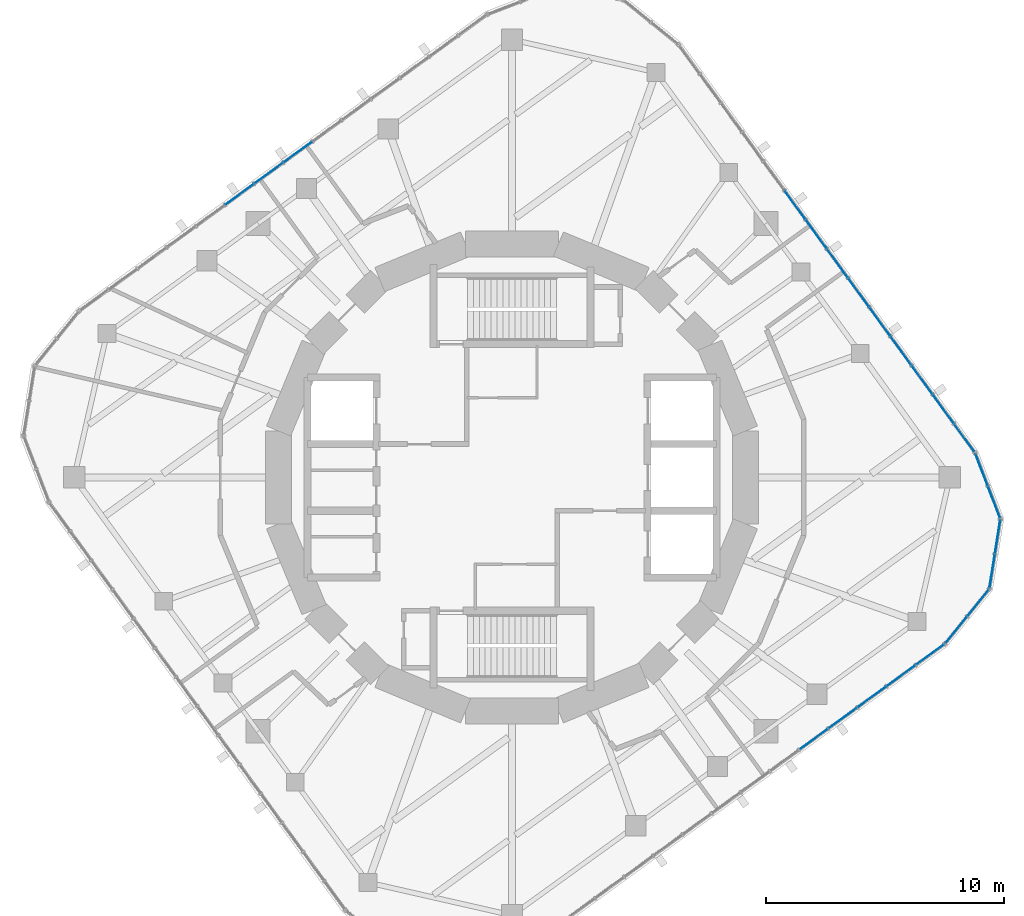
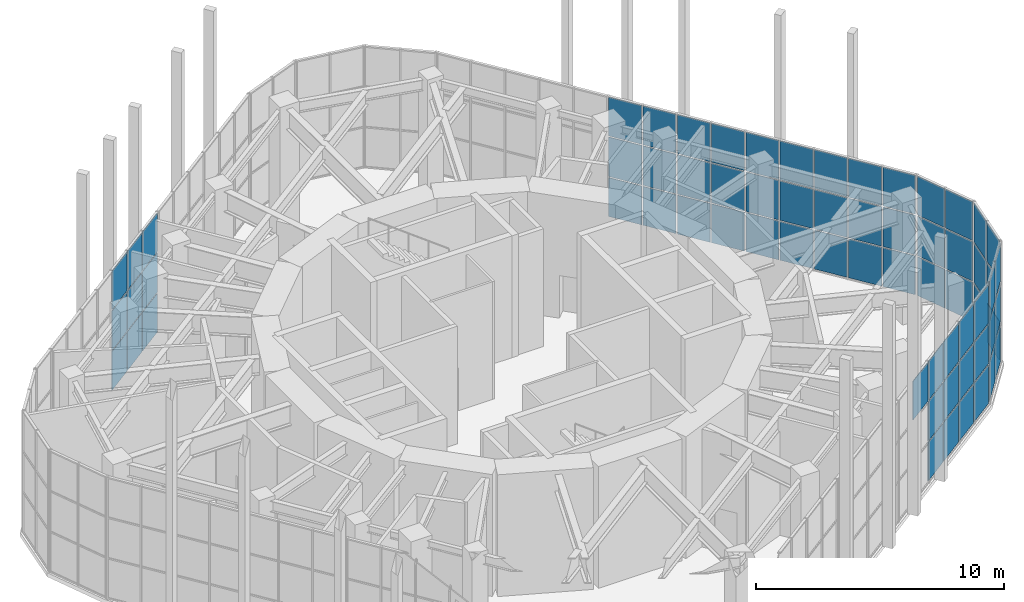
# One storey, part 13 of 17: 67 plates, 6 elements without a shape of their own.
"""IFC4 building model written with IfcOpenShell, lengths in metres."""

from ifc_helpers import new_model, si_unit, direction, frame, origin, origin_2d, place, context, subcontext, project, spatial, rectangle, extrude, material, layer, layer_set, type_object, element, aggregate, save


model = new_model("IFC4")

# Units and contexts
model_context = context("Model", 3, precision=1e-05, world=origin(), true_north=direction((0.0, 1.0)))
body_context = subcontext(model_context, "Body", "Model", "MODEL_VIEW")
ifc_project = project(units=[si_unit("LENGTHUNIT", "METRE"), si_unit("AREAUNIT", "SQUARE_METRE"), si_unit("VOLUMEUNIT", "CUBIC_METRE"), si_unit("PLANEANGLEUNIT", "RADIAN"), si_unit("MASSUNIT", "GRAM", prefix="KILO")], contexts=[model_context])

# Site, building, storey
site_placement = place(None, origin())
site = spatial("IfcSite", under=ifc_project, at=site_placement, CompositionType="ELEMENT")
building_placement = place(site_placement, origin())
building = spatial("IfcBuilding", under=site, at=building_placement, Name="Nakasero Lantern House", CompositionType="ELEMENT")
storey_placement = place(building_placement, frame((0.0, 0.0, 298.39990234375)))
storey = spatial("IfcBuildingStorey", under=building, at=storey_placement, Name="L73", CompositionType="ELEMENT", Elevation=298.39990234375)

# Curtain wall, plates
ifc_material_1 = material(Name="Aluminium 6063-T6 and glass", Category="aluminium")
curtain_wall_type = type_object("IfcCurtainWallType", Name="Lantern glazing CW-4", PredefinedType="USERDEFINED", material=ifc_material_1)
curtain_wall_1_placement = place(storey_placement, origin())
curtain_wall_1 = element("IfcCurtainWall", 1, at=curtain_wall_1_placement, inside=storey, type_object=curtain_wall_type, Name="Curtain wall CW-4 L73", ObjectType="UNITISED CURTAIN WALL", PredefinedType="USERDEFINED")
ifc_material_2 = material(Name="Glass", Category="glass")
ifc_layer = layer(ifc_material_2, 0.028076171875)
ifc_layer_set = layer_set([ifc_layer], Name="Glazed panel CW-4")
plate_type = type_object("IfcPlateType", Name="Glazed panel CW-4", PredefinedType="CURTAIN_PANEL", material=ifc_layer_set)
plate_1_placement = place(storey_placement, frame((19.004150390625, 1.659423828125, 0.06005859375), z_axis=(0.0, 0.0, 1.0), x_axis=(-0.587785252292, 0.809016994375, 0.0)))
plate_1 = element("IfcPlate", 2, at=plate_1_placement, type_object=plate_type, Name="CW-4 panel 1.1", PredefinedType="CURTAIN_PANEL", context=body_context, shape_type="SweptSolid", body=[
    extrude(rectangle(XDim=1.42431640625, YDim=0.028076171875, at=origin_2d()), origin(), (0.0, 0.0, 1.0), 1.909912109375),
])
plate_2_placement = place(storey_placement, frame((19.004150390625, 1.659423828125, 2.030029296875), z_axis=(0.0, 0.0, 1.0), x_axis=(-0.587785252292, 0.809016994375, 0.0)))
plate_2 = element("IfcPlate", 3, at=plate_2_placement, type_object=plate_type, Name="CW-4 panel 1.2", PredefinedType="CURTAIN_PANEL", context=body_context, shape_type="SweptSolid", body=[
    extrude(rectangle(XDim=1.42431640625, YDim=0.028076171875, at=origin_2d()), origin(), (0.0, 0.0, 1.0), 1.93994140625),
])
plate_3_placement = place(storey_placement, frame((19.004150390625, 1.659423828125, 4.0302734375), z_axis=(0.0, 0.0, 1.0), x_axis=(-0.587785252292, 0.809016994375, 0.0)))
plate_3 = element("IfcPlate", 4, at=plate_3_placement, type_object=plate_type, Name="CW-4 panel 1.3", PredefinedType="CURTAIN_PANEL", context=body_context, shape_type="SweptSolid", body=[
    extrude(rectangle(XDim=1.42431640625, YDim=0.028076171875, at=origin_2d()), origin(), (0.0, 0.0, 1.0), 1.909912109375),
])
plate_4_placement = place(storey_placement, frame((18.122802734375, 2.872314453125, 0.06005859375), z_axis=(0.0, 0.0, 1.0), x_axis=(-0.587785252292, 0.809016994375, 0.0)))
plate_4 = element("IfcPlate", 5, at=plate_4_placement, type_object=plate_type, Name="CW-4 panel 2.1", PredefinedType="CURTAIN_PANEL", context=body_context, shape_type="SweptSolid", body=[
    extrude(rectangle(XDim=1.454345703125, YDim=0.028076171875, at=origin_2d()), origin(), (0.0, 0.0, 1.0), 1.909912109375),
])
plate_5_placement = place(storey_placement, frame((18.122802734375, 2.872314453125, 2.030029296875), z_axis=(0.0, 0.0, 1.0), x_axis=(-0.587785252292, 0.809016994375, 0.0)))
plate_5 = element("IfcPlate", 6, at=plate_5_placement, type_object=plate_type, Name="CW-4 panel 2.2", PredefinedType="CURTAIN_PANEL", context=body_context, shape_type="SweptSolid", body=[
    extrude(rectangle(XDim=1.454345703125, YDim=0.028076171875, at=origin_2d()), origin(), (0.0, 0.0, 1.0), 1.93994140625),
])
plate_6_placement = place(storey_placement, frame((18.122802734375, 2.872314453125, 4.0302734375), z_axis=(0.0, 0.0, 1.0), x_axis=(-0.587785252292, 0.809016994375, 0.0)))
plate_6 = element("IfcPlate", 7, at=plate_6_placement, type_object=plate_type, Name="CW-4 panel 2.3", PredefinedType="CURTAIN_PANEL", context=body_context, shape_type="SweptSolid", body=[
    extrude(rectangle(XDim=1.454345703125, YDim=0.028076171875, at=origin_2d()), origin(), (0.0, 0.0, 1.0), 1.909912109375),
])
plate_7_placement = place(storey_placement, frame((17.232666015625, 4.097412109375, 0.06005859375), z_axis=(0.0, 0.0, 1.0), x_axis=(-0.587785252292, 0.809016994375, 0.0)))
plate_7 = element("IfcPlate", 8, at=plate_7_placement, type_object=plate_type, Name="CW-4 panel 3.1", PredefinedType="CURTAIN_PANEL", context=body_context, shape_type="SweptSolid", body=[
    extrude(rectangle(XDim=1.454345703125, YDim=0.028076171875, at=origin_2d()), origin(), (0.0, 0.0, 1.0), 1.909912109375),
])
plate_8_placement = place(storey_placement, frame((17.232666015625, 4.097412109375, 2.030029296875), z_axis=(0.0, 0.0, 1.0), x_axis=(-0.587785252292, 0.809016994375, 0.0)))
plate_8 = element("IfcPlate", 9, at=plate_8_placement, type_object=plate_type, Name="CW-4 panel 3.2", PredefinedType="CURTAIN_PANEL", context=body_context, shape_type="SweptSolid", body=[
    extrude(rectangle(XDim=1.454345703125, YDim=0.028076171875, at=origin_2d()), origin(), (0.0, 0.0, 1.0), 1.93994140625),
])
plate_9_placement = place(storey_placement, frame((17.232666015625, 4.097412109375, 4.0302734375), z_axis=(0.0, 0.0, 1.0), x_axis=(-0.587785252292, 0.809016994375, 0.0)))
plate_9 = element("IfcPlate", 10, at=plate_9_placement, type_object=plate_type, Name="CW-4 panel 3.3", PredefinedType="CURTAIN_PANEL", context=body_context, shape_type="SweptSolid", body=[
    extrude(rectangle(XDim=1.454345703125, YDim=0.028076171875, at=origin_2d()), origin(), (0.0, 0.0, 1.0), 1.909912109375),
])
plate_10_placement = place(storey_placement, frame((16.3427734375, 5.322509765625, 0.06005859375), z_axis=(0.0, 0.0, 1.0), x_axis=(-0.587785252292, 0.809016994375, 0.0)))
plate_10 = element("IfcPlate", 11, at=plate_10_placement, type_object=plate_type, Name="CW-4 panel 4.1", PredefinedType="CURTAIN_PANEL", context=body_context, shape_type="SweptSolid", body=[
    extrude(rectangle(XDim=1.454345703125, YDim=0.028076171875, at=origin_2d()), origin(), (0.0, 0.0, 1.0), 1.909912109375),
])
plate_11_placement = place(storey_placement, frame((16.3427734375, 5.322509765625, 2.030029296875), z_axis=(0.0, 0.0, 1.0), x_axis=(-0.587785252292, 0.809016994375, 0.0)))
plate_11 = element("IfcPlate", 12, at=plate_11_placement, type_object=plate_type, Name="CW-4 panel 4.2", PredefinedType="CURTAIN_PANEL", context=body_context, shape_type="SweptSolid", body=[
    extrude(rectangle(XDim=1.454345703125, YDim=0.028076171875, at=origin_2d()), origin(), (0.0, 0.0, 1.0), 1.93994140625),
])
plate_12_placement = place(storey_placement, frame((16.3427734375, 5.322509765625, 4.0302734375), z_axis=(0.0, 0.0, 1.0), x_axis=(-0.587785252292, 0.809016994375, 0.0)))
plate_12 = element("IfcPlate", 13, at=plate_12_placement, type_object=plate_type, Name="CW-4 panel 4.3", PredefinedType="CURTAIN_PANEL", context=body_context, shape_type="SweptSolid", body=[
    extrude(rectangle(XDim=1.454345703125, YDim=0.028076171875, at=origin_2d()), origin(), (0.0, 0.0, 1.0), 1.909912109375),
])
plate_13_placement = place(storey_placement, frame((15.45263671875, 6.547607421875, 0.06005859375), z_axis=(0.0, 0.0, 1.0), x_axis=(-0.587785252292, 0.809016994375, 0.0)))
plate_13 = element("IfcPlate", 14, at=plate_13_placement, type_object=plate_type, Name="CW-4 panel 5.1", PredefinedType="CURTAIN_PANEL", context=body_context, shape_type="SweptSolid", body=[
    extrude(rectangle(XDim=1.454345703125, YDim=0.028076171875, at=origin_2d()), origin(), (0.0, 0.0, 1.0), 1.909912109375),
])
plate_14_placement = place(storey_placement, frame((15.45263671875, 6.547607421875, 2.030029296875), z_axis=(0.0, 0.0, 1.0), x_axis=(-0.587785252292, 0.809016994375, 0.0)))
plate_14 = element("IfcPlate", 15, at=plate_14_placement, type_object=plate_type, Name="CW-4 panel 5.2", PredefinedType="CURTAIN_PANEL", context=body_context, shape_type="SweptSolid", body=[
    extrude(rectangle(XDim=1.454345703125, YDim=0.028076171875, at=origin_2d()), origin(), (0.0, 0.0, 1.0), 1.93994140625),
])
plate_15_placement = place(storey_placement, frame((15.45263671875, 6.547607421875, 4.0302734375), z_axis=(0.0, 0.0, 1.0), x_axis=(-0.587785252292, 0.809016994375, 0.0)))
plate_15 = element("IfcPlate", 16, at=plate_15_placement, type_object=plate_type, Name="CW-4 panel 5.3", PredefinedType="CURTAIN_PANEL", context=body_context, shape_type="SweptSolid", body=[
    extrude(rectangle(XDim=1.454345703125, YDim=0.028076171875, at=origin_2d()), origin(), (0.0, 0.0, 1.0), 1.909912109375),
])
plate_16_placement = place(storey_placement, frame((14.5625, 7.772705078125, 0.06005859375), z_axis=(0.0, 0.0, 1.0), x_axis=(-0.587785252292, 0.809016994375, 0.0)))
plate_16 = element("IfcPlate", 17, at=plate_16_placement, type_object=plate_type, Name="CW-4 panel 6.1", PredefinedType="CURTAIN_PANEL", context=body_context, shape_type="SweptSolid", body=[
    extrude(rectangle(XDim=1.454345703125, YDim=0.028076171875, at=origin_2d()), origin(), (0.0, 0.0, 1.0), 1.909912109375),
])
plate_17_placement = place(storey_placement, frame((14.5625, 7.772705078125, 2.030029296875), z_axis=(0.0, 0.0, 1.0), x_axis=(-0.587785252292, 0.809016994375, 0.0)))
plate_17 = element("IfcPlate", 18, at=plate_17_placement, type_object=plate_type, Name="CW-4 panel 6.2", PredefinedType="CURTAIN_PANEL", context=body_context, shape_type="SweptSolid", body=[
    extrude(rectangle(XDim=1.454345703125, YDim=0.028076171875, at=origin_2d()), origin(), (0.0, 0.0, 1.0), 1.93994140625),
])
plate_18_placement = place(storey_placement, frame((14.5625, 7.772705078125, 4.0302734375), z_axis=(0.0, 0.0, 1.0), x_axis=(-0.587785252292, 0.809016994375, 0.0)))
plate_18 = element("IfcPlate", 19, at=plate_18_placement, type_object=plate_type, Name="CW-4 panel 6.3", PredefinedType="CURTAIN_PANEL", context=body_context, shape_type="SweptSolid", body=[
    extrude(rectangle(XDim=1.454345703125, YDim=0.028076171875, at=origin_2d()), origin(), (0.0, 0.0, 1.0), 1.909912109375),
])
plate_19_placement = place(storey_placement, frame((13.67236328125, 8.997802734375, 0.06005859375), z_axis=(0.0, 0.0, 1.0), x_axis=(-0.587785252292, 0.809016994375, 0.0)))
plate_19 = element("IfcPlate", 20, at=plate_19_placement, type_object=plate_type, Name="CW-4 panel 7.1", PredefinedType="CURTAIN_PANEL", context=body_context, shape_type="SweptSolid", body=[
    extrude(rectangle(XDim=1.454345703125, YDim=0.028076171875, at=origin_2d()), origin(), (0.0, 0.0, 1.0), 1.909912109375),
])
plate_20_placement = place(storey_placement, frame((13.67236328125, 8.997802734375, 2.030029296875), z_axis=(0.0, 0.0, 1.0), x_axis=(-0.587785252292, 0.809016994375, 0.0)))
plate_20 = element("IfcPlate", 21, at=plate_20_placement, type_object=plate_type, Name="CW-4 panel 7.2", PredefinedType="CURTAIN_PANEL", context=body_context, shape_type="SweptSolid", body=[
    extrude(rectangle(XDim=1.454345703125, YDim=0.028076171875, at=origin_2d()), origin(), (0.0, 0.0, 1.0), 1.93994140625),
])
plate_21_placement = place(storey_placement, frame((13.67236328125, 8.997802734375, 4.0302734375), z_axis=(0.0, 0.0, 1.0), x_axis=(-0.587785252292, 0.809016994375, 0.0)))
plate_21 = element("IfcPlate", 22, at=plate_21_placement, type_object=plate_type, Name="CW-4 panel 7.3", PredefinedType="CURTAIN_PANEL", context=body_context, shape_type="SweptSolid", body=[
    extrude(rectangle(XDim=1.454345703125, YDim=0.028076171875, at=origin_2d()), origin(), (0.0, 0.0, 1.0), 1.909912109375),
])
plate_22_placement = place(storey_placement, frame((12.782470703125, 10.222900390625, 0.06005859375), z_axis=(0.0, 0.0, 1.0), x_axis=(-0.587785252292, 0.809016994375, 0.0)))
plate_22 = element("IfcPlate", 23, at=plate_22_placement, type_object=plate_type, Name="CW-4 panel 8.1", PredefinedType="CURTAIN_PANEL", context=body_context, shape_type="SweptSolid", body=[
    extrude(rectangle(XDim=1.454345703125, YDim=0.028076171875, at=origin_2d()), origin(), (0.0, 0.0, 1.0), 1.909912109375),
])
plate_23_placement = place(storey_placement, frame((12.782470703125, 10.222900390625, 2.030029296875), z_axis=(0.0, 0.0, 1.0), x_axis=(-0.587785252292, 0.809016994375, 0.0)))
plate_23 = element("IfcPlate", 24, at=plate_23_placement, type_object=plate_type, Name="CW-4 panel 8.2", PredefinedType="CURTAIN_PANEL", context=body_context, shape_type="SweptSolid", body=[
    extrude(rectangle(XDim=1.454345703125, YDim=0.028076171875, at=origin_2d()), origin(), (0.0, 0.0, 1.0), 1.93994140625),
])
plate_24_placement = place(storey_placement, frame((12.782470703125, 10.222900390625, 4.0302734375), z_axis=(0.0, 0.0, 1.0), x_axis=(-0.587785252292, 0.809016994375, 0.0)))
plate_24 = element("IfcPlate", 25, at=plate_24_placement, type_object=plate_type, Name="CW-4 panel 8.3", PredefinedType="CURTAIN_PANEL", context=body_context, shape_type="SweptSolid", body=[
    extrude(rectangle(XDim=1.454345703125, YDim=0.028076171875, at=origin_2d()), origin(), (0.0, 0.0, 1.0), 1.909912109375),
])
plate_25_placement = place(storey_placement, frame((11.892333984375, 11.447998046875, 0.06005859375), z_axis=(0.0, 0.0, 1.0), x_axis=(-0.587785252292, 0.809016994375, 0.0)))
plate_25 = element("IfcPlate", 26, at=plate_25_placement, type_object=plate_type, Name="CW-4 panel 9.1", PredefinedType="CURTAIN_PANEL", context=body_context, shape_type="SweptSolid", body=[
    extrude(rectangle(XDim=1.454345703125, YDim=0.028076171875, at=origin_2d()), origin(), (0.0, 0.0, 1.0), 1.909912109375),
])
plate_26_placement = place(storey_placement, frame((11.892333984375, 11.447998046875, 2.030029296875), z_axis=(0.0, 0.0, 1.0), x_axis=(-0.587785252292, 0.809016994375, 0.0)))
plate_26 = element("IfcPlate", 27, at=plate_26_placement, type_object=plate_type, Name="CW-4 panel 9.2", PredefinedType="CURTAIN_PANEL", context=body_context, shape_type="SweptSolid", body=[
    extrude(rectangle(XDim=1.454345703125, YDim=0.028076171875, at=origin_2d()), origin(), (0.0, 0.0, 1.0), 1.93994140625),
])
plate_27_placement = place(storey_placement, frame((11.892333984375, 11.447998046875, 4.0302734375), z_axis=(0.0, 0.0, 1.0), x_axis=(-0.587785252292, 0.809016994375, 0.0)))
plate_27 = element("IfcPlate", 28, at=plate_27_placement, type_object=plate_type, Name="CW-4 panel 9.3", PredefinedType="CURTAIN_PANEL", context=body_context, shape_type="SweptSolid", body=[
    extrude(rectangle(XDim=1.454345703125, YDim=0.028076171875, at=origin_2d()), origin(), (0.0, 0.0, 1.0), 1.909912109375),
])
aggregate(curtain_wall_1, [plate_1, plate_2, plate_3, plate_4, plate_5, plate_6, plate_7, plate_8, plate_9, plate_10, plate_11, plate_12, plate_13, plate_14, plate_15, plate_16, plate_17, plate_18, plate_19, plate_20, plate_21, plate_22, plate_23, plate_24, plate_25, plate_26, plate_27])

curtain_wall_2_placement = place(storey_placement, origin())
curtain_wall_2 = element("IfcCurtainWall", 29, at=curtain_wall_2_placement, inside=storey, type_object=curtain_wall_type, Name="Curtain wall CW-4 L73", ObjectType="UNITISED CURTAIN WALL", PredefinedType="USERDEFINED")
plate_28_placement = place(storey_placement, frame((-8.997802734375, 13.67236328125, 0.06005859375), z_axis=(0.0, 0.0, 1.0), x_axis=(-0.809016994375, -0.587785252292, 0.0)))
plate_28 = element("IfcPlate", 30, at=plate_28_placement, type_object=plate_type, Name="CW-4 panel 7.1", PredefinedType="CURTAIN_PANEL", context=body_context, shape_type="SweptSolid", body=[
    extrude(rectangle(XDim=1.454345703125, YDim=0.028076171875, at=origin_2d()), origin(), (0.0, 0.0, 1.0), 1.909912109375),
])
plate_29_placement = place(storey_placement, frame((-8.997802734375, 13.67236328125, 2.030029296875), z_axis=(0.0, 0.0, 1.0), x_axis=(-0.809016994375, -0.587785252292, 0.0)))
plate_29 = element("IfcPlate", 31, at=plate_29_placement, type_object=plate_type, Name="CW-4 panel 7.2", PredefinedType="CURTAIN_PANEL", context=body_context, shape_type="SweptSolid", body=[
    extrude(rectangle(XDim=1.454345703125, YDim=0.028076171875, at=origin_2d()), origin(), (0.0, 0.0, 1.0), 1.93994140625),
])
plate_30_placement = place(storey_placement, frame((-8.997802734375, 13.67236328125, 4.0302734375), z_axis=(0.0, 0.0, 1.0), x_axis=(-0.809016994375, -0.587785252292, 0.0)))
plate_30 = element("IfcPlate", 32, at=plate_30_placement, type_object=plate_type, Name="CW-4 panel 7.3", PredefinedType="CURTAIN_PANEL", context=body_context, shape_type="SweptSolid", body=[
    extrude(rectangle(XDim=1.454345703125, YDim=0.028076171875, at=origin_2d()), origin(), (0.0, 0.0, 1.0), 1.909912109375),
])
plate_31_placement = place(storey_placement, frame((-10.222900390625, 12.782470703125, 0.06005859375), z_axis=(0.0, 0.0, 1.0), x_axis=(-0.809016994375, -0.587785252292, 0.0)))
plate_31 = element("IfcPlate", 33, at=plate_31_placement, type_object=plate_type, Name="CW-4 panel 8.1", PredefinedType="CURTAIN_PANEL", context=body_context, shape_type="SweptSolid", body=[
    extrude(rectangle(XDim=1.454345703125, YDim=0.028076171875, at=origin_2d()), origin(), (0.0, 0.0, 1.0), 1.909912109375),
])
plate_32_placement = place(storey_placement, frame((-10.222900390625, 12.782470703125, 2.030029296875), z_axis=(0.0, 0.0, 1.0), x_axis=(-0.809016994375, -0.587785252292, 0.0)))
plate_32 = element("IfcPlate", 34, at=plate_32_placement, type_object=plate_type, Name="CW-4 panel 8.2", PredefinedType="CURTAIN_PANEL", context=body_context, shape_type="SweptSolid", body=[
    extrude(rectangle(XDim=1.454345703125, YDim=0.028076171875, at=origin_2d()), origin(), (0.0, 0.0, 1.0), 1.93994140625),
])
plate_33_placement = place(storey_placement, frame((-10.222900390625, 12.782470703125, 4.0302734375), z_axis=(0.0, 0.0, 1.0), x_axis=(-0.809016994375, -0.587785252292, 0.0)))
plate_33 = element("IfcPlate", 35, at=plate_33_placement, type_object=plate_type, Name="CW-4 panel 8.3", PredefinedType="CURTAIN_PANEL", context=body_context, shape_type="SweptSolid", body=[
    extrude(rectangle(XDim=1.454345703125, YDim=0.028076171875, at=origin_2d()), origin(), (0.0, 0.0, 1.0), 1.909912109375),
])
plate_34_placement = place(storey_placement, frame((-11.447998046875, 11.892333984375, 0.06005859375), z_axis=(0.0, 0.0, 1.0), x_axis=(-0.809016994375, -0.587785252292, 0.0)))
plate_34 = element("IfcPlate", 36, at=plate_34_placement, type_object=plate_type, Name="CW-4 panel 9.1", PredefinedType="CURTAIN_PANEL", context=body_context, shape_type="SweptSolid", body=[
    extrude(rectangle(XDim=1.454345703125, YDim=0.028076171875, at=origin_2d()), origin(), (0.0, 0.0, 1.0), 1.909912109375),
])
plate_35_placement = place(storey_placement, frame((-11.447998046875, 11.892333984375, 2.030029296875), z_axis=(0.0, 0.0, 1.0), x_axis=(-0.809016994375, -0.587785252292, 0.0)))
plate_35 = element("IfcPlate", 37, at=plate_35_placement, type_object=plate_type, Name="CW-4 panel 9.2", PredefinedType="CURTAIN_PANEL", context=body_context, shape_type="SweptSolid", body=[
    extrude(rectangle(XDim=1.454345703125, YDim=0.028076171875, at=origin_2d()), origin(), (0.0, 0.0, 1.0), 1.93994140625),
])
plate_36_placement = place(storey_placement, frame((-11.447998046875, 11.892333984375, 4.0302734375), z_axis=(0.0, 0.0, 1.0), x_axis=(-0.809016994375, -0.587785252292, 0.0)))
plate_36 = element("IfcPlate", 38, at=plate_36_placement, type_object=plate_type, Name="CW-4 panel 9.3", PredefinedType="CURTAIN_PANEL", context=body_context, shape_type="SweptSolid", body=[
    extrude(rectangle(XDim=1.454345703125, YDim=0.028076171875, at=origin_2d()), origin(), (0.0, 0.0, 1.0), 1.909912109375),
])
aggregate(curtain_wall_2, [plate_28, plate_29, plate_30, plate_31, plate_32, plate_33, plate_34, plate_35, plate_36])

curtain_wall_3_placement = place(storey_placement, origin())
curtain_wall_3 = element("IfcCurtainWall", 39, at=curtain_wall_3_placement, inside=storey, type_object=curtain_wall_type, Name="Curtain wall CW-4 L73", ObjectType="UNITISED CURTAIN WALL", PredefinedType="USERDEFINED")
plate_37_placement = place(storey_placement, frame((12.673095703125, -11.002197265625, 4.0302734375), z_axis=(0.0, 0.0, 1.0), x_axis=(0.809016994375, 0.587785252292, 0.0)))
plate_37 = element("IfcPlate", 40, at=plate_37_placement, type_object=plate_type, Name="CW-4 panel 10.3", PredefinedType="CURTAIN_PANEL", context=body_context, shape_type="SweptSolid", body=[
    extrude(rectangle(XDim=1.454345703125, YDim=0.028076171875, at=origin_2d()), origin(), (0.0, 0.0, 1.0), 1.909912109375),
])
plate_38_placement = place(storey_placement, frame((13.898193359375, -10.112060546875, 0.06005859375), z_axis=(0.0, 0.0, 1.0), x_axis=(0.809016994375, 0.587785252292, 0.0)))
plate_38 = element("IfcPlate", 41, at=plate_38_placement, type_object=plate_type, Name="CW-4 panel 11.1", PredefinedType="CURTAIN_PANEL", context=body_context, shape_type="SweptSolid", body=[
    extrude(rectangle(XDim=1.454345703125, YDim=0.028076171875, at=origin_2d()), origin(), (0.0, 0.0, 1.0), 1.909912109375),
])
plate_39_placement = place(storey_placement, frame((13.898193359375, -10.112060546875, 2.030029296875), z_axis=(0.0, 0.0, 1.0), x_axis=(0.809016994375, 0.587785252292, 0.0)))
plate_39 = element("IfcPlate", 42, at=plate_39_placement, type_object=plate_type, Name="CW-4 panel 11.2", PredefinedType="CURTAIN_PANEL", context=body_context, shape_type="SweptSolid", body=[
    extrude(rectangle(XDim=1.454345703125, YDim=0.028076171875, at=origin_2d()), origin(), (0.0, 0.0, 1.0), 1.93994140625),
])
plate_40_placement = place(storey_placement, frame((13.898193359375, -10.112060546875, 4.0302734375), z_axis=(0.0, 0.0, 1.0), x_axis=(0.809016994375, 0.587785252292, 0.0)))
plate_40 = element("IfcPlate", 43, at=plate_40_placement, type_object=plate_type, Name="CW-4 panel 11.3", PredefinedType="CURTAIN_PANEL", context=body_context, shape_type="SweptSolid", body=[
    extrude(rectangle(XDim=1.454345703125, YDim=0.028076171875, at=origin_2d()), origin(), (0.0, 0.0, 1.0), 1.909912109375),
])
plate_41_placement = place(storey_placement, frame((15.123046875, -9.22216796875, 0.06005859375), z_axis=(0.0, 0.0, 1.0), x_axis=(0.809016994375, 0.587785252292, 0.0)))
plate_41 = element("IfcPlate", 44, at=plate_41_placement, type_object=plate_type, Name="CW-4 panel 12.1", PredefinedType="CURTAIN_PANEL", context=body_context, shape_type="SweptSolid", body=[
    extrude(rectangle(XDim=1.454345703125, YDim=0.028076171875, at=origin_2d()), origin(), (0.0, 0.0, 1.0), 1.909912109375),
])
plate_42_placement = place(storey_placement, frame((15.123046875, -9.22216796875, 2.030029296875), z_axis=(0.0, 0.0, 1.0), x_axis=(0.809016994375, 0.587785252292, 0.0)))
plate_42 = element("IfcPlate", 45, at=plate_42_placement, type_object=plate_type, Name="CW-4 panel 12.2", PredefinedType="CURTAIN_PANEL", context=body_context, shape_type="SweptSolid", body=[
    extrude(rectangle(XDim=1.454345703125, YDim=0.028076171875, at=origin_2d()), origin(), (0.0, 0.0, 1.0), 1.93994140625),
])
plate_43_placement = place(storey_placement, frame((15.123046875, -9.22216796875, 4.0302734375), z_axis=(0.0, 0.0, 1.0), x_axis=(0.809016994375, 0.587785252292, 0.0)))
plate_43 = element("IfcPlate", 46, at=plate_43_placement, type_object=plate_type, Name="CW-4 panel 12.3", PredefinedType="CURTAIN_PANEL", context=body_context, shape_type="SweptSolid", body=[
    extrude(rectangle(XDim=1.454345703125, YDim=0.028076171875, at=origin_2d()), origin(), (0.0, 0.0, 1.0), 1.909912109375),
])
plate_44_placement = place(storey_placement, frame((16.34814453125, -8.33203125, 0.06005859375), z_axis=(0.0, 0.0, 1.0), x_axis=(0.809016994375, 0.587785252292, 0.0)))
plate_44 = element("IfcPlate", 47, at=plate_44_placement, type_object=plate_type, Name="CW-4 panel 13.1", PredefinedType="CURTAIN_PANEL", context=body_context, shape_type="SweptSolid", body=[
    extrude(rectangle(XDim=1.454345703125, YDim=0.028076171875, at=origin_2d()), origin(), (0.0, 0.0, 1.0), 1.909912109375),
])
plate_45_placement = place(storey_placement, frame((16.34814453125, -8.33203125, 2.030029296875), z_axis=(0.0, 0.0, 1.0), x_axis=(0.809016994375, 0.587785252292, 0.0)))
plate_45 = element("IfcPlate", 48, at=plate_45_placement, type_object=plate_type, Name="CW-4 panel 13.2", PredefinedType="CURTAIN_PANEL", context=body_context, shape_type="SweptSolid", body=[
    extrude(rectangle(XDim=1.454345703125, YDim=0.028076171875, at=origin_2d()), origin(), (0.0, 0.0, 1.0), 1.93994140625),
])
plate_46_placement = place(storey_placement, frame((16.34814453125, -8.33203125, 4.0302734375), z_axis=(0.0, 0.0, 1.0), x_axis=(0.809016994375, 0.587785252292, 0.0)))
plate_46 = element("IfcPlate", 49, at=plate_46_placement, type_object=plate_type, Name="CW-4 panel 13.3", PredefinedType="CURTAIN_PANEL", context=body_context, shape_type="SweptSolid", body=[
    extrude(rectangle(XDim=1.454345703125, YDim=0.028076171875, at=origin_2d()), origin(), (0.0, 0.0, 1.0), 1.909912109375),
])
plate_47_placement = place(storey_placement, frame((17.561279296875, -7.45068359375, 0.06005859375), z_axis=(0.0, 0.0, 1.0), x_axis=(0.809016994375, 0.587785252292, 0.0)))
plate_47 = element("IfcPlate", 50, at=plate_47_placement, type_object=plate_type, Name="CW-4 panel 14.1", PredefinedType="CURTAIN_PANEL", context=body_context, shape_type="SweptSolid", body=[
    extrude(rectangle(XDim=1.42431640625, YDim=0.028076171875, at=origin_2d()), origin(), (0.0, 0.0, 1.0), 1.909912109375),
])
plate_48_placement = place(storey_placement, frame((17.561279296875, -7.45068359375, 2.030029296875), z_axis=(0.0, 0.0, 1.0), x_axis=(0.809016994375, 0.587785252292, 0.0)))
plate_48 = element("IfcPlate", 51, at=plate_48_placement, type_object=plate_type, Name="CW-4 panel 14.2", PredefinedType="CURTAIN_PANEL", context=body_context, shape_type="SweptSolid", body=[
    extrude(rectangle(XDim=1.42431640625, YDim=0.028076171875, at=origin_2d()), origin(), (0.0, 0.0, 1.0), 1.93994140625),
])
plate_49_placement = place(storey_placement, frame((17.561279296875, -7.45068359375, 4.0302734375), z_axis=(0.0, 0.0, 1.0), x_axis=(0.809016994375, 0.587785252292, 0.0)))
plate_49 = element("IfcPlate", 52, at=plate_49_placement, type_object=plate_type, Name="CW-4 panel 14.3", PredefinedType="CURTAIN_PANEL", context=body_context, shape_type="SweptSolid", body=[
    extrude(rectangle(XDim=1.42431640625, YDim=0.028076171875, at=origin_2d()), origin(), (0.0, 0.0, 1.0), 1.909912109375),
])
aggregate(curtain_wall_3, [plate_37, plate_38, plate_39, plate_40, plate_41, plate_42, plate_43, plate_44, plate_45, plate_46, plate_47, plate_48, plate_49])

curtain_wall_4_placement = place(storey_placement, origin())
curtain_wall_4 = element("IfcCurtainWall", 53, at=curtain_wall_4_placement, inside=storey, type_object=curtain_wall_type, Name="Curtain wall CW-4 L73", ObjectType="UNITISED CURTAIN WALL", PredefinedType="USERDEFINED")
plate_50_placement = place(storey_placement, frame((18.66357421875, -6.406982421875, 0.06005859375), z_axis=(0.0, 0.0, 1.0), x_axis=(0.629320391091, 0.777145961424, 0.0)))
plate_50 = element("IfcPlate", 54, at=plate_50_placement, type_object=plate_type, Name="CW-4 panel 1.1", PredefinedType="CURTAIN_PANEL", context=body_context, shape_type="SweptSolid", body=[
    extrude(rectangle(XDim=1.398193359375, YDim=0.028076171875, at=origin_2d()), origin(), (0.0, 0.0, 1.0), 1.909912109375),
])
plate_51_placement = place(storey_placement, frame((18.66357421875, -6.406982421875, 2.030029296875), z_axis=(0.0, 0.0, 1.0), x_axis=(0.629320391091, 0.777145961424, 0.0)))
plate_51 = element("IfcPlate", 55, at=plate_51_placement, type_object=plate_type, Name="CW-4 panel 1.2", PredefinedType="CURTAIN_PANEL", context=body_context, shape_type="SweptSolid", body=[
    extrude(rectangle(XDim=1.398193359375, YDim=0.028076171875, at=origin_2d()), origin(), (0.0, 0.0, 1.0), 1.93994140625),
])
plate_52_placement = place(storey_placement, frame((18.66357421875, -6.406982421875, 4.0302734375), z_axis=(0.0, 0.0, 1.0), x_axis=(0.629320391091, 0.777145961424, 0.0)))
plate_52 = element("IfcPlate", 56, at=plate_52_placement, type_object=plate_type, Name="CW-4 panel 1.3", PredefinedType="CURTAIN_PANEL", context=body_context, shape_type="SweptSolid", body=[
    extrude(rectangle(XDim=1.398193359375, YDim=0.028076171875, at=origin_2d()), origin(), (0.0, 0.0, 1.0), 1.909912109375),
])
plate_53_placement = place(storey_placement, frame((19.581298828125, -5.273681640625, 0.06005859375), z_axis=(0.0, 0.0, 1.0), x_axis=(0.629320391091, 0.777145961424, 0.0)))
plate_53 = element("IfcPlate", 57, at=plate_53_placement, type_object=plate_type, Name="CW-4 panel 2.1", PredefinedType="CURTAIN_PANEL", context=body_context, shape_type="SweptSolid", body=[
    extrude(rectangle(XDim=1.398193359375, YDim=0.028076171875, at=origin_2d()), origin(), (0.0, 0.0, 1.0), 1.909912109375),
])
plate_54_placement = place(storey_placement, frame((19.581298828125, -5.273681640625, 2.030029296875), z_axis=(0.0, 0.0, 1.0), x_axis=(0.629320391091, 0.777145961424, 0.0)))
plate_54 = element("IfcPlate", 58, at=plate_54_placement, type_object=plate_type, Name="CW-4 panel 2.2", PredefinedType="CURTAIN_PANEL", context=body_context, shape_type="SweptSolid", body=[
    extrude(rectangle(XDim=1.398193359375, YDim=0.028076171875, at=origin_2d()), origin(), (0.0, 0.0, 1.0), 1.93994140625),
])
plate_55_placement = place(storey_placement, frame((19.581298828125, -5.273681640625, 4.0302734375), z_axis=(0.0, 0.0, 1.0), x_axis=(0.629320391091, 0.777145961424, 0.0)))
plate_55 = element("IfcPlate", 59, at=plate_55_placement, type_object=plate_type, Name="CW-4 panel 2.3", PredefinedType="CURTAIN_PANEL", context=body_context, shape_type="SweptSolid", body=[
    extrude(rectangle(XDim=1.398193359375, YDim=0.028076171875, at=origin_2d()), origin(), (0.0, 0.0, 1.0), 1.909912109375),
])
aggregate(curtain_wall_4, [plate_50, plate_51, plate_52, plate_53, plate_54, plate_55])

curtain_wall_5_placement = place(storey_placement, origin())
curtain_wall_5 = element("IfcCurtainWall", 60, at=curtain_wall_5_placement, inside=storey, type_object=curtain_wall_type, Name="Curtain wall CW-4 L73", ObjectType="UNITISED CURTAIN WALL", PredefinedType="USERDEFINED")
plate_56_placement = place(storey_placement, frame((20.177734375, -3.93408203125, 0.06005859375), z_axis=(0.0, 0.0, 1.0), x_axis=(0.15643446504, 0.987688340595, 0.0)))
plate_56 = element("IfcPlate", 61, at=plate_56_placement, type_object=plate_type, Name="CW-4 panel 1.1", PredefinedType="CURTAIN_PANEL", context=body_context, shape_type="SweptSolid", body=[
    extrude(rectangle(XDim=1.398193359375, YDim=0.028076171875, at=origin_2d()), origin(), (0.0, 0.0, 1.0), 1.909912109375),
])
plate_57_placement = place(storey_placement, frame((20.177734375, -3.93408203125, 2.030029296875), z_axis=(0.0, 0.0, 1.0), x_axis=(0.15643446504, 0.987688340595, 0.0)))
plate_57 = element("IfcPlate", 62, at=plate_57_placement, type_object=plate_type, Name="CW-4 panel 1.2", PredefinedType="CURTAIN_PANEL", context=body_context, shape_type="SweptSolid", body=[
    extrude(rectangle(XDim=1.398193359375, YDim=0.028076171875, at=origin_2d()), origin(), (0.0, 0.0, 1.0), 1.93994140625),
])
plate_58_placement = place(storey_placement, frame((20.177734375, -3.93408203125, 4.0302734375), z_axis=(0.0, 0.0, 1.0), x_axis=(0.15643446504, 0.987688340595, 0.0)))
plate_58 = element("IfcPlate", 63, at=plate_58_placement, type_object=plate_type, Name="CW-4 panel 1.3", PredefinedType="CURTAIN_PANEL", context=body_context, shape_type="SweptSolid", body=[
    extrude(rectangle(XDim=1.398193359375, YDim=0.028076171875, at=origin_2d()), origin(), (0.0, 0.0, 1.0), 1.909912109375),
])
plate_59_placement = place(storey_placement, frame((20.40576171875, -2.493896484375, 0.06005859375), z_axis=(0.0, 0.0, 1.0), x_axis=(0.15643446504, 0.987688340595, 0.0)))
plate_59 = element("IfcPlate", 64, at=plate_59_placement, type_object=plate_type, Name="CW-4 panel 2.1", PredefinedType="CURTAIN_PANEL", context=body_context, shape_type="SweptSolid", body=[
    extrude(rectangle(XDim=1.398193359375, YDim=0.028076171875, at=origin_2d()), origin(), (0.0, 0.0, 1.0), 1.909912109375),
])
plate_60_placement = place(storey_placement, frame((20.40576171875, -2.493896484375, 2.030029296875), z_axis=(0.0, 0.0, 1.0), x_axis=(0.15643446504, 0.987688340595, 0.0)))
plate_60 = element("IfcPlate", 65, at=plate_60_placement, type_object=plate_type, Name="CW-4 panel 2.2", PredefinedType="CURTAIN_PANEL", context=body_context, shape_type="SweptSolid", body=[
    extrude(rectangle(XDim=1.398193359375, YDim=0.028076171875, at=origin_2d()), origin(), (0.0, 0.0, 1.0), 1.93994140625),
])
plate_61_placement = place(storey_placement, frame((20.40576171875, -2.493896484375, 4.0302734375), z_axis=(0.0, 0.0, 1.0), x_axis=(0.15643446504, 0.987688340595, 0.0)))
plate_61 = element("IfcPlate", 66, at=plate_61_placement, type_object=plate_type, Name="CW-4 panel 2.3", PredefinedType="CURTAIN_PANEL", context=body_context, shape_type="SweptSolid", body=[
    extrude(rectangle(XDim=1.398193359375, YDim=0.028076171875, at=origin_2d()), origin(), (0.0, 0.0, 1.0), 1.909912109375),
])
aggregate(curtain_wall_5, [plate_56, plate_57, plate_58, plate_59, plate_60, plate_61])

curtain_wall_6_placement = place(storey_placement, origin())
curtain_wall_6 = element("IfcCurtainWall", 67, at=curtain_wall_6_placement, inside=storey, type_object=curtain_wall_type, Name="Curtain wall CW-4 L73", ObjectType="UNITISED CURTAIN WALL", PredefinedType="USERDEFINED")
plate_62_placement = place(storey_placement, frame((20.252685546875, -1.035400390625, 0.06005859375), z_axis=(0.0, 0.0, 1.0), x_axis=(-0.35836794961, 0.933580426472, 0.0)))
plate_62 = element("IfcPlate", 68, at=plate_62_placement, type_object=plate_type, Name="CW-4 panel 1.1", PredefinedType="CURTAIN_PANEL", context=body_context, shape_type="SweptSolid", body=[
    extrude(rectangle(XDim=1.398193359375, YDim=0.028076171875, at=origin_2d()), origin(), (0.0, 0.0, 1.0), 1.909912109375),
])
plate_63_placement = place(storey_placement, frame((20.252685546875, -1.035400390625, 2.030029296875), z_axis=(0.0, 0.0, 1.0), x_axis=(-0.35836794961, 0.933580426472, 0.0)))
plate_63 = element("IfcPlate", 69, at=plate_63_placement, type_object=plate_type, Name="CW-4 panel 1.2", PredefinedType="CURTAIN_PANEL", context=body_context, shape_type="SweptSolid", body=[
    extrude(rectangle(XDim=1.398193359375, YDim=0.028076171875, at=origin_2d()), origin(), (0.0, 0.0, 1.0), 1.93994140625),
])
plate_64_placement = place(storey_placement, frame((20.252685546875, -1.035400390625, 4.0302734375), z_axis=(0.0, 0.0, 1.0), x_axis=(-0.35836794961, 0.933580426472, 0.0)))
plate_64 = element("IfcPlate", 70, at=plate_64_placement, type_object=plate_type, Name="CW-4 panel 1.3", PredefinedType="CURTAIN_PANEL", context=body_context, shape_type="SweptSolid", body=[
    extrude(rectangle(XDim=1.398193359375, YDim=0.028076171875, at=origin_2d()), origin(), (0.0, 0.0, 1.0), 1.909912109375),
])
plate_65_placement = place(storey_placement, frame((19.72998046875, 0.325927734375, 0.06005859375), z_axis=(0.0, 0.0, 1.0), x_axis=(-0.35836794961, 0.933580426472, 0.0)))
plate_65 = element("IfcPlate", 71, at=plate_65_placement, type_object=plate_type, Name="CW-4 panel 2.1", PredefinedType="CURTAIN_PANEL", context=body_context, shape_type="SweptSolid", body=[
    extrude(rectangle(XDim=1.398193359375, YDim=0.028076171875, at=origin_2d()), origin(), (0.0, 0.0, 1.0), 1.909912109375),
])
plate_66_placement = place(storey_placement, frame((19.72998046875, 0.325927734375, 2.030029296875), z_axis=(0.0, 0.0, 1.0), x_axis=(-0.35836794961, 0.933580426472, 0.0)))
plate_66 = element("IfcPlate", 72, at=plate_66_placement, type_object=plate_type, Name="CW-4 panel 2.2", PredefinedType="CURTAIN_PANEL", context=body_context, shape_type="SweptSolid", body=[
    extrude(rectangle(XDim=1.398193359375, YDim=0.028076171875, at=origin_2d()), origin(), (0.0, 0.0, 1.0), 1.93994140625),
])
plate_67_placement = place(storey_placement, frame((19.72998046875, 0.325927734375, 4.0302734375), z_axis=(0.0, 0.0, 1.0), x_axis=(-0.35836794961, 0.933580426472, 0.0)))
plate_67 = element("IfcPlate", 73, at=plate_67_placement, type_object=plate_type, Name="CW-4 panel 2.3", PredefinedType="CURTAIN_PANEL", context=body_context, shape_type="SweptSolid", body=[
    extrude(rectangle(XDim=1.398193359375, YDim=0.028076171875, at=origin_2d()), origin(), (0.0, 0.0, 1.0), 1.909912109375),
])
aggregate(curtain_wall_6, [plate_62, plate_63, plate_64, plate_65, plate_66, plate_67])

save(model, "model.ifc")
